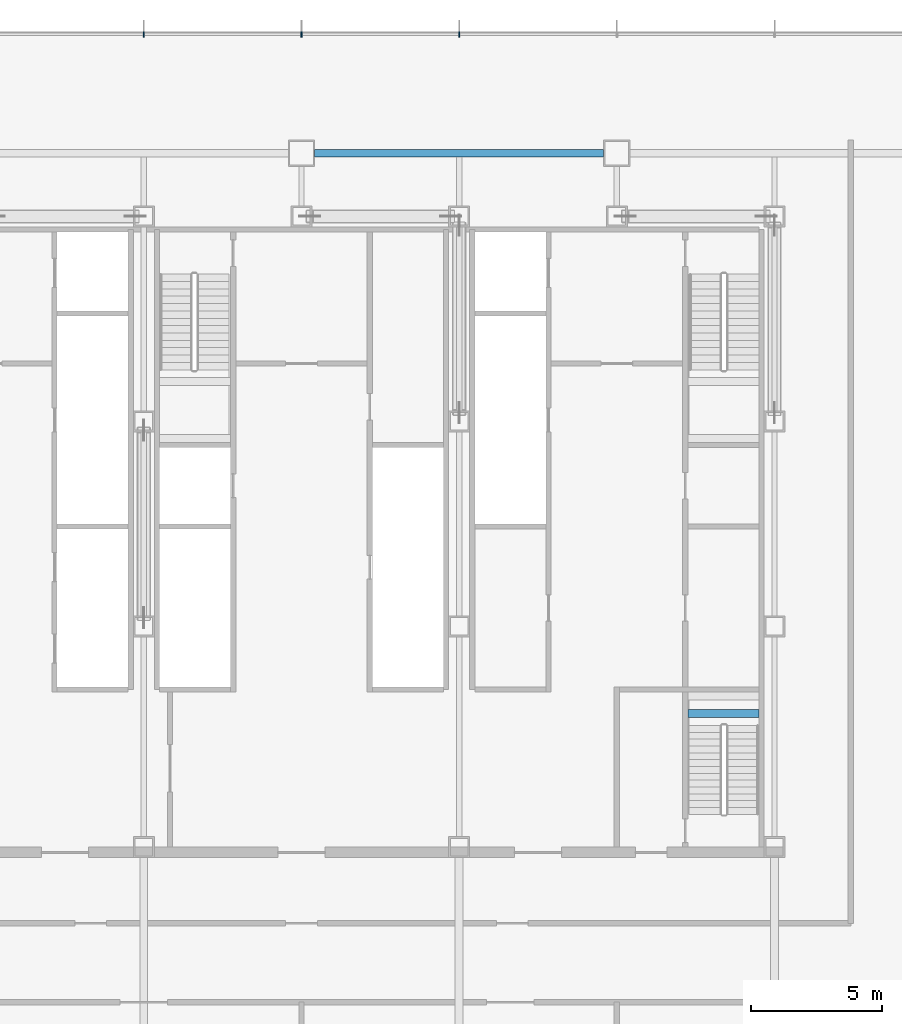
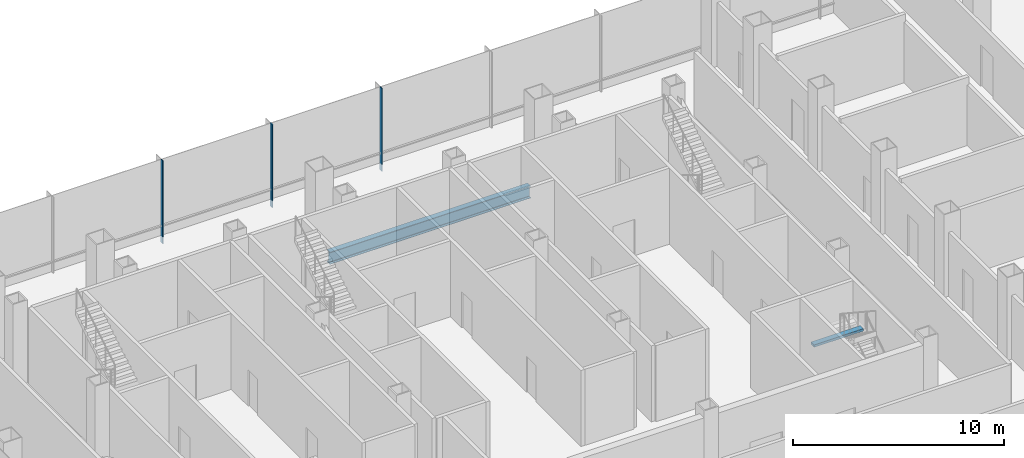
# One storey, part 14 of 33: 3 members, 2 beams, 1 element without a shape of its own.
"""IFC4 building model written with IfcOpenShell, lengths in metres."""

from ifc_helpers import new_model, si_unit, direction, frame, origin, origin_2d, place, context, subcontext, project, spatial, rectangle, i_section, extrude, material, material_profile, profile_set, type_object, element, aggregate, save


model = new_model("IFC4")

# Units and contexts
model_context = context("Model", 3, precision=1e-05, world=origin(), true_north=direction((0.0, 1.0)))
body_context = subcontext(model_context, "Body", "Model", "MODEL_VIEW")
ifc_project = project(units=[si_unit("LENGTHUNIT", "METRE"), si_unit("AREAUNIT", "SQUARE_METRE"), si_unit("VOLUMEUNIT", "CUBIC_METRE"), si_unit("PLANEANGLEUNIT", "RADIAN"), si_unit("MASSUNIT", "GRAM", prefix="KILO")], contexts=[model_context])

# Site, building, storey
site_placement = place(None, origin())
site = spatial("IfcSite", under=ifc_project, at=site_placement, CompositionType="ELEMENT")
building_placement = place(site_placement, origin())
building = spatial("IfcBuilding", under=site, at=building_placement, Name="Sorahane Residences", CompositionType="ELEMENT")
storey_placement = place(building_placement, frame((0.0, 0.0, 25.199951171875)))
storey = spatial("IfcBuildingStorey", under=building, at=storey_placement, Name="L03", CompositionType="ELEMENT", Elevation=25.199951171875)

# Curtain wall, members
ifc_material_1 = material(Name="Dark low-e glass and black anodised aluminium", Category="aluminium")
curtain_wall_type = type_object("IfcCurtainWallType", Name="Curtain wall CW-3 Podium unitised wall", PredefinedType="NOTDEFINED", material=ifc_material_1)
curtain_wall_placement = place(storey_placement, origin())
curtain_wall = element("IfcCurtainWall", 1, at=curtain_wall_placement, inside=storey, type_object=curtain_wall_type, Name="CW-3 curtain wall L03 N1", PredefinedType="NOTDEFINED")
ifc_material_2 = material(Name="Black anodised aluminium", Category="aluminium")
ifc_material_profile_1 = material_profile(ifc_material_2, rectangle(XDim=0.199951171875, YDim=0.050048828125, at=origin_2d()), Name="Curtain wall mullion CW-3 black anodised aluminium 50x200")
ifc_profile_set_1 = profile_set([ifc_material_profile_1], Name="Black anodised aluminium")
member_type = type_object("IfcMemberType", Name="Curtain wall mullion CW-3 black anodised aluminium 50x200", PredefinedType="MULLION", material=ifc_profile_set_1)
member_1_placement = place(storey_placement, frame((30.0, 52.52001953125, -0.39990234375), z_axis=(0.0, 0.0, 1.0), x_axis=(0.0, 1.0, 0.0)))
member_1 = element("IfcMember", 2, at=member_1_placement, type_object=member_type, Name="CW-3 mullion L03 N1.9", PredefinedType="MULLION", context=body_context, shape_type="SweptSolid", body=[
    extrude(rectangle(XDim=0.199951171875, YDim=0.050048828125, at=origin_2d()), origin(), (0.0, 0.0, 1.0), 4.800048828125),
])
member_2_placement = place(storey_placement, frame((24.0, 52.52001953125, -0.39990234375), z_axis=(0.0, 0.0, 1.0), x_axis=(0.0, 1.0, 0.0)))
member_2 = element("IfcMember", 3, at=member_2_placement, type_object=member_type, Name="CW-3 mullion L03 N1.10", PredefinedType="MULLION", context=body_context, shape_type="SweptSolid", body=[
    extrude(rectangle(XDim=0.199951171875, YDim=0.050048828125, at=origin_2d()), origin(), (0.0, 0.0, 1.0), 4.800048828125),
])
member_3_placement = place(storey_placement, frame((18.0, 52.52001953125, -0.39990234375), z_axis=(0.0, 0.0, 1.0), x_axis=(0.0, 1.0, 0.0)))
member_3 = element("IfcMember", 4, at=member_3_placement, type_object=member_type, Name="CW-3 mullion L03 N1.11", PredefinedType="MULLION", context=body_context, shape_type="SweptSolid", body=[
    extrude(rectangle(XDim=0.199951171875, YDim=0.050048828125, at=origin_2d()), origin(), (0.0, 0.0, 1.0), 4.800048828125),
])
aggregate(curtain_wall, [member_1, member_2, member_3])

# Beams
ifc_material_3 = material(Name="Concrete C40", Category="concrete")
ifc_material_profile_2 = material_profile(ifc_material_3, rectangle(XDim=0.300048828125, YDim=0.139892578125, at=origin_2d()), Name="300x140")
ifc_profile_set_2 = profile_set([ifc_material_profile_2], Name="Concrete C40")
beam_type_1 = type_object("IfcBeamType", Name="RC landing beam 300 x 140 Concrete C40", PredefinedType="BEAM", material=ifc_profile_set_2)
beam_1_placement = place(storey_placement, frame((38.699951171875, 26.679931640625, 2.130126953125), z_axis=(1.0, 0.0, 0.0), x_axis=(0.0, 1.0, 0.0)))
element("IfcBeam", 5, at=beam_1_placement, inside=storey, type_object=beam_type_1, Name="Landing beam", PredefinedType="BEAM", context=body_context, shape_type="SweptSolid", body=[
    extrude(rectangle(XDim=0.300048828125, YDim=0.139892578125, at=origin_2d()), origin(), (0.0, 0.0, 1.0), 2.699951171875),
])
ifc_material_4 = material(Name="Steel Q355B", Category="steel")
ifc_material_profile_3 = material_profile(ifc_material_4, i_section(OverallWidth=0.300048828125, OverallDepth=0.699951171875, WebThickness=0.012939453125, FlangeThickness=0.02392578125, FilletRadius=0.028076171875, at=origin_2d()), Name="HN 700x300x13x24")
ifc_profile_set_3 = profile_set([ifc_material_profile_3], Name="Steel Q355B")
beam_type_2 = type_object("IfcBeamType", Name="Steel floor beam HN 700x300x13x24 Q355B", PredefinedType="BEAM", material=ifc_profile_set_3)
beam_2_placement = place(storey_placement, frame((24.5, 48.0, -0.75), z_axis=(1.0, 0.0, 0.0), x_axis=(0.0, 1.0, 0.0)))
element("IfcBeam", 6, at=beam_2_placement, inside=storey, type_object=beam_type_2, Name="Beam L03 020", PredefinedType="BEAM", context=body_context, shape_type="SweptSolid", body=[
    extrude(i_section(OverallWidth=0.300048828125, OverallDepth=0.699951171875, WebThickness=0.012939453125, FlangeThickness=0.02392578125, FilletRadius=0.028076171875, at=origin_2d()), origin(), (0.0, 0.0, 1.0), 11.0),
])

save(model, "model.ifc")
